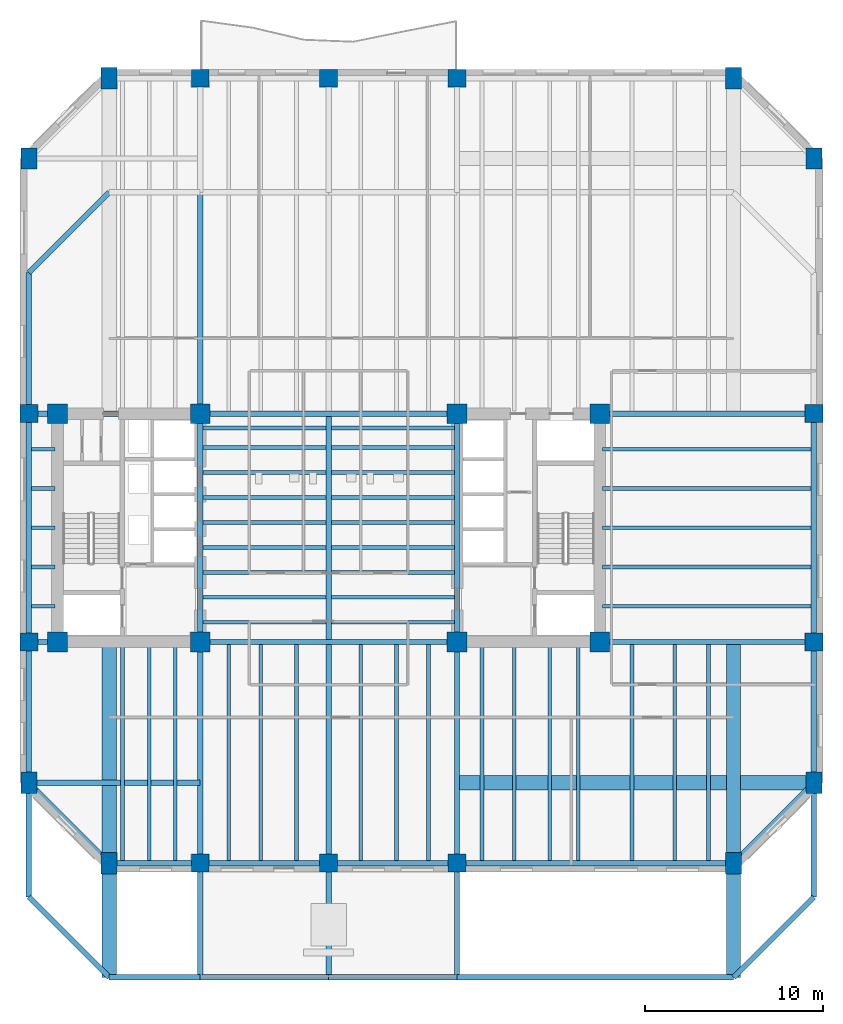
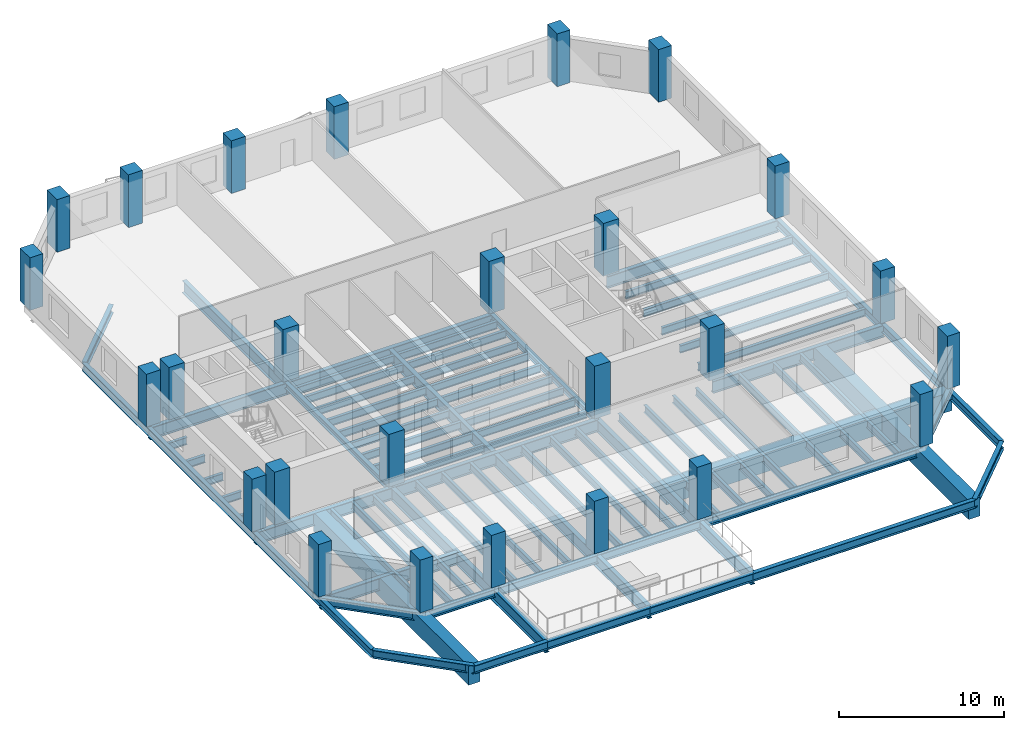
# One storey, part 1 of 10: 79 beams, 26 columns.
"""IFC4 building model written with IfcOpenShell, lengths in metres."""

from ifc_helpers import new_model, si_unit, direction, frame, origin, origin_2d, place, context, subcontext, project, spatial, rectangle, i_section, extrude, material, material_profile, profile_set, type_object, element, save


model = new_model("IFC4")

# Units and contexts
model_context = context("Model", 3, precision=1e-05, world=origin(), true_north=direction((0.0, 1.0)))
body_context = subcontext(model_context, "Body", "Model", "MODEL_VIEW")
ifc_project = project(units=[si_unit("LENGTHUNIT", "METRE"), si_unit("AREAUNIT", "SQUARE_METRE"), si_unit("VOLUMEUNIT", "CUBIC_METRE"), si_unit("PLANEANGLEUNIT", "RADIAN"), si_unit("MASSUNIT", "GRAM", prefix="KILO")], contexts=[model_context])

# Site, building, storey
site_placement = place(None, origin())
site = spatial("IfcSite", under=ifc_project, at=site_placement, CompositionType="ELEMENT")
building_placement = place(site_placement, origin())
building = spatial("IfcBuilding", under=site, at=building_placement, Name="Kranthara Brick Stack", CompositionType="ELEMENT")
storey_placement = place(building_placement, frame((0.0, 0.0, 71.10009765625)))
storey = spatial("IfcBuildingStorey", under=building, at=storey_placement, Name="L17", CompositionType="ELEMENT", Elevation=71.10009765625)

# Columns
ifc_material_1 = material(Name="Concrete C70/85", Category="concrete")
ifc_material_profile_1 = material_profile(ifc_material_1, rectangle(XDim=0.89990234375, YDim=1.199951171875, at=origin_2d()), Name="RC 900x1200")
ifc_profile_set_1 = profile_set([ifc_material_profile_1], Name="Concrete C70/85")
column_type_1 = type_object("IfcColumnType", Name="COL-CHAM-900x1200", PredefinedType="COLUMN", material=ifc_profile_set_1)
for number, where, z_axis, x_axis, name in (
    (1, (15.699951171875, 8.39990234375, 0.0), (0.0, 0.0, 1.0), (1.0, 0.0, 0.0), "L17 Column 09"),
    (2, (15.699951171875, 52.39990234375, 0.0), (0.0, 0.0, 1.0), (1.0, 0.0, 0.0), "L17 Column 10"),
    (3, (50.699951171875, 8.39990234375, 0.0), (0.0, 0.0, 1.0), (1.0, 0.0, 0.0), "L17 Column 17"),
    (4, (50.699951171875, 52.39990234375, 0.0), (0.0, 0.0, 1.0), (1.0, 0.0, 0.0), "L17 Column 18"),
    (5, (11.199951171875, 12.89990234375, 0.0), (0.0, 0.0, 1.0), (1.0, 0.0, 0.0), "L17 Column 19"),
    (6, (55.199951171875, 12.89990234375, 0.0), (0.0, 0.0, 1.0), (1.0, 0.0, 0.0), "L17 Column 20"),
    (7, (11.199951171875, 47.89990234375, 0.0), (0.0, 0.0, 1.0), (1.0, 0.0, 0.0), "L17 Column 25"),
    (8, (55.199951171875, 47.89990234375, 0.0), (0.0, 0.0, 1.0), (1.0, 0.0, 0.0), "L17 Column 26"),
):
    element("IfcColumn", number, at=place(storey_placement, frame(where, z_axis=z_axis, x_axis=x_axis)), inside=storey, type_object=column_type_1, Name=name, PredefinedType="COLUMN", context=body_context, shape_type="SweptSolid", body=[
        extrude(rectangle(XDim=0.89990234375, YDim=1.199951171875, at=origin_2d()), origin(), (0.0, 0.0, 1.0), 3.89990234375),
    ])
ifc_material_2 = material(Name="Concrete C70/85", Category="concrete")
ifc_material_profile_2 = material_profile(ifc_material_2, rectangle(XDim=1.10009765625, YDim=1.10009765625, at=origin_2d()), Name="RC 1100x1100")
ifc_profile_set_2 = profile_set([ifc_material_profile_2], Name="Concrete C70/85")
column_type_2 = type_object("IfcColumnType", Name="COL-CORE-1100", PredefinedType="COLUMN", material=ifc_profile_set_2)
for number, where, z_axis, x_axis, name in (
    (9, (12.800048828125, 20.800048828125, 0.0), (0.0, 0.0, 1.0), (1.0, 0.0, 0.0), "L17 Column 01"),
    (10, (20.800048828125, 20.800048828125, 0.0), (0.0, 0.0, 1.0), (1.0, 0.0, 0.0), "L17 Column 02"),
    (11, (12.800048828125, 33.60009765625, 0.0), (0.0, 0.0, 1.0), (1.0, 0.0, 0.0), "L17 Column 03"),
    (12, (20.800048828125, 33.60009765625, 0.0), (0.0, 0.0, 1.0), (1.0, 0.0, 0.0), "L17 Column 04"),
    (13, (35.199951171875, 20.800048828125, 0.0), (0.0, 0.0, 1.0), (1.0, 0.0, 0.0), "L17 Column 05"),
    (14, (43.199951171875, 20.800048828125, 0.0), (0.0, 0.0, 1.0), (1.0, 0.0, 0.0), "L17 Column 06"),
    (15, (35.199951171875, 33.60009765625, 0.0), (0.0, 0.0, 1.0), (1.0, 0.0, 0.0), "L17 Column 07"),
    (16, (43.199951171875, 33.60009765625, 0.0), (0.0, 0.0, 1.0), (1.0, 0.0, 0.0), "L17 Column 08"),
):
    element("IfcColumn", number, at=place(storey_placement, frame(where, z_axis=z_axis, x_axis=x_axis)), inside=storey, type_object=column_type_2, Name=name, PredefinedType="COLUMN", context=body_context, shape_type="SweptSolid", body=[
        extrude(rectangle(XDim=1.10009765625, YDim=1.10009765625, at=origin_2d()), origin(), (0.0, 0.0, 1.0), 3.89990234375),
    ])
ifc_material_3 = material(Name="Concrete C60/75", Category="concrete")
ifc_material_profile_3 = material_profile(ifc_material_3, rectangle(XDim=1.0, YDim=1.0, at=origin_2d()), Name="RC 1000x1000")
ifc_profile_set_3 = profile_set([ifc_material_profile_3], Name="Concrete C60/75")
column_type_3 = type_object("IfcColumnType", Name="COL-PER-1000", PredefinedType="COLUMN", material=ifc_profile_set_3)
for number, where, z_axis, x_axis, name in (
    (17, (20.800048828125, 8.39990234375, 0.0), (0.0, 0.0, 1.0), (1.0, 0.0, 0.0), "L17 Column 11"),
    (18, (20.800048828125, 52.39990234375, 0.0), (0.0, 0.0, 1.0), (1.0, 0.0, 0.0), "L17 Column 12"),
    (19, (28.0, 8.39990234375, 0.0), (0.0, 0.0, 1.0), (1.0, 0.0, 0.0), "L17 Column 13"),
    (20, (28.0, 52.39990234375, 0.0), (0.0, 0.0, 1.0), (1.0, 0.0, 0.0), "L17 Column 14"),
    (21, (35.199951171875, 8.39990234375, 0.0), (0.0, 0.0, 1.0), (1.0, 0.0, 0.0), "L17 Column 15"),
    (22, (35.199951171875, 52.39990234375, 0.0), (0.0, 0.0, 1.0), (1.0, 0.0, 0.0), "L17 Column 16"),
    (23, (11.199951171875, 20.800048828125, 0.0), (0.0, 0.0, 1.0), (1.0, 0.0, 0.0), "L17 Column 21"),
    (24, (55.199951171875, 20.800048828125, 0.0), (0.0, 0.0, 1.0), (1.0, 0.0, 0.0), "L17 Column 22"),
    (25, (11.199951171875, 33.60009765625, 0.0), (0.0, 0.0, 1.0), (1.0, 0.0, 0.0), "L17 Column 23"),
    (26, (55.199951171875, 33.60009765625, 0.0), (0.0, 0.0, 1.0), (1.0, 0.0, 0.0), "L17 Column 24"),
):
    element("IfcColumn", number, at=place(storey_placement, frame(where, z_axis=z_axis, x_axis=x_axis)), inside=storey, type_object=column_type_3, Name=name, PredefinedType="COLUMN", context=body_context, shape_type="SweptSolid", body=[
        extrude(rectangle(XDim=1.0, YDim=1.0, at=origin_2d()), origin(), (0.0, 0.0, 1.0), 3.89990234375),
    ])

# Beams
ifc_material_4 = material(Name="Steel S355", Category="steel")
ifc_material_profile_4 = material_profile(ifc_material_4, i_section(OverallWidth=0.2099609375, OverallDepth=0.550048828125, WebThickness=0.010986328125, FlangeThickness=0.01708984375, at=origin_2d()), Name="IPE 550")
ifc_profile_set_4 = profile_set([ifc_material_profile_4], Name="Steel S355")
beam_type_1 = type_object("IfcBeamType", Name="BM-JST-IPE550", PredefinedType="JOIST", material=ifc_profile_set_4)
for number, where, z_axis, x_axis, name in (
    (27, (20.949951171875, 21.89990234375, -0.72509765625), (1.0, 0.0, 0.0), (0.0, 1.0, 0.0), "L17 Central Floor Joist 057"),
    (28, (28.14990234375, 21.89990234375, -0.72509765625), (1.0, 0.0, 0.0), (0.0, 1.0, 0.0), "L17 Central Floor Joist 058"),
    (29, (20.949951171875, 23.300048828125, -0.72509765625), (1.0, 0.0, 0.0), (0.0, 1.0, 0.0), "L17 Central Floor Joist 059"),
    (30, (28.14990234375, 23.300048828125, -0.72509765625), (1.0, 0.0, 0.0), (0.0, 1.0, 0.0), "L17 Central Floor Joist 060"),
    (31, (20.949951171875, 24.699951171875, -0.72509765625), (1.0, 0.0, 0.0), (0.0, 1.0, 0.0), "L17 Central Floor Joist 061"),
    (32, (28.14990234375, 24.699951171875, -0.72509765625), (1.0, 0.0, 0.0), (0.0, 1.0, 0.0), "L17 Central Floor Joist 062"),
    (33, (20.949951171875, 26.10009765625, -0.72509765625), (1.0, 0.0, 0.0), (0.0, 1.0, 0.0), "L17 Central Floor Joist 063"),
    (34, (28.14990234375, 26.10009765625, -0.72509765625), (1.0, 0.0, 0.0), (0.0, 1.0, 0.0), "L17 Central Floor Joist 064"),
    (35, (20.949951171875, 27.5, -0.72509765625), (1.0, 0.0, 0.0), (0.0, 1.0, 0.0), "L17 Central Floor Joist 065"),
    (36, (28.14990234375, 27.5, -0.72509765625), (1.0, 0.0, 0.0), (0.0, 1.0, 0.0), "L17 Central Floor Joist 066"),
    (37, (20.949951171875, 28.89990234375, -0.72509765625), (1.0, 0.0, 0.0), (0.0, 1.0, 0.0), "L17 Central Floor Joist 067"),
    (38, (28.14990234375, 28.89990234375, -0.72509765625), (1.0, 0.0, 0.0), (0.0, 1.0, 0.0), "L17 Central Floor Joist 068"),
    (39, (20.949951171875, 30.300048828125, -0.72509765625), (1.0, 0.0, 0.0), (0.0, 1.0, 0.0), "L17 Central Floor Joist 069"),
    (40, (28.14990234375, 30.300048828125, -0.72509765625), (1.0, 0.0, 0.0), (0.0, 1.0, 0.0), "L17 Central Floor Joist 070"),
    (41, (20.949951171875, 31.699951171875, -0.72509765625), (1.0, 0.0, 0.0), (0.0, 1.0, 0.0), "L17 Central Floor Joist 071"),
    (42, (28.14990234375, 31.699951171875, -0.72509765625), (1.0, 0.0, 0.0), (0.0, 1.0, 0.0), "L17 Central Floor Joist 072"),
    (43, (20.949951171875, 32.800048828125, -0.72509765625), (1.0, 0.0, 0.0), (0.0, 1.0, 0.0), "L17 Central Floor Joist 073"),
    (44, (28.14990234375, 32.800048828125, -0.72509765625), (1.0, 0.0, 0.0), (0.0, 1.0, 0.0), "L17 Central Floor Joist 074"),
):
    element("IfcBeam", number, at=place(storey_placement, frame(where, z_axis=z_axis, x_axis=x_axis)), inside=storey, type_object=beam_type_1, Name=name, PredefinedType="JOIST", context=body_context, shape_type="SweptSolid", body=[
        extrude(i_section(OverallWidth=0.2099609375, OverallDepth=0.550048828125, WebThickness=0.010986328125, FlangeThickness=0.01708984375, at=origin_2d()), origin(), (0.0, 0.0, 1.0), 6.900146484375),
    ])
for number, where, z_axis, x_axis, name in (
    (45, (16.449951171875, 8.550048828125, -0.72509765625), (0.0, 1.0, 0.0), (-1.0, 0.0, 0.0), "L17 South Wing Floor Joist 075"),
    (46, (17.949951171875, 8.550048828125, -0.72509765625), (0.0, 1.0, 0.0), (-1.0, 0.0, 0.0), "L17 South Wing Floor Joist 077"),
    (47, (19.39990234375, 8.550048828125, -0.72509765625), (0.0, 1.0, 0.0), (-1.0, 0.0, 0.0), "L17 South Wing Floor Joist 079"),
    (48, (22.39990234375, 8.550048828125, -0.72509765625), (0.0, 1.0, 0.0), (-1.0, 0.0, 0.0), "L17 South Wing Floor Joist 081"),
    (49, (24.199951171875, 8.550048828125, -0.72509765625), (0.0, 1.0, 0.0), (-1.0, 0.0, 0.0), "L17 South Wing Floor Joist 083"),
    (50, (26.199951171875, 8.550048828125, -0.72509765625), (0.0, 1.0, 0.0), (-1.0, 0.0, 0.0), "L17 South Wing Floor Joist 085"),
    (51, (29.800048828125, 8.550048828125, -0.72509765625), (0.0, 1.0, 0.0), (-1.0, 0.0, 0.0), "L17 South Wing Floor Joist 087"),
    (52, (31.800048828125, 8.550048828125, -0.72509765625), (0.0, 1.0, 0.0), (-1.0, 0.0, 0.0), "L17 South Wing Floor Joist 089"),
    (53, (33.60009765625, 8.550048828125, -0.72509765625), (0.0, 1.0, 0.0), (-1.0, 0.0, 0.0), "L17 South Wing Floor Joist 091"),
    (54, (36.60009765625, 8.550048828125, -0.72509765625), (0.0, 1.0, 0.0), (-1.0, 0.0, 0.0), "L17 South Wing Floor Joist 093"),
    (55, (38.39990234375, 8.550048828125, -0.72509765625), (0.0, 1.0, 0.0), (-1.0, 0.0, 0.0), "L17 South Wing Floor Joist 095"),
    (56, (40.39990234375, 8.550048828125, -0.72509765625), (0.0, 1.0, 0.0), (-1.0, 0.0, 0.0), "L17 South Wing Floor Joist 097"),
    (57, (42.0, 8.550048828125, -0.72509765625), (0.0, 1.0, 0.0), (-1.0, 0.0, 0.0), "L17 South Wing Floor Joist 099"),
    (58, (45.0, 8.550048828125, -0.72509765625), (0.0, 1.0, 0.0), (-1.0, 0.0, 0.0), "L17 South Wing Floor Joist 101"),
    (59, (47.39990234375, 8.550048828125, -0.72509765625), (0.0, 1.0, 0.0), (-1.0, 0.0, 0.0), "L17 South Wing Floor Joist 103"),
    (60, (49.300048828125, 8.550048828125, -0.72509765625), (0.0, 1.0, 0.0), (-1.0, 0.0, 0.0), "L17 South Wing Floor Joist 105"),
):
    element("IfcBeam", number, at=place(storey_placement, frame(where, z_axis=z_axis, x_axis=x_axis)), inside=storey, type_object=beam_type_1, Name=name, PredefinedType="JOIST", context=body_context, shape_type="SweptSolid", body=[
        extrude(i_section(OverallWidth=0.2099609375, OverallDepth=0.550048828125, WebThickness=0.010986328125, FlangeThickness=0.01708984375, at=origin_2d()), origin(), (0.0, 0.0, 1.0), 12.099853515625),
    ])
beam_1_placement = place(storey_placement, frame((11.35009765625, 22.800048828125, -0.72509765625), z_axis=(1.0, 0.0, 0.0), x_axis=(0.0, 1.0, 0.0)))
element("IfcBeam", 61, at=beam_1_placement, inside=storey, type_object=beam_type_1, Name="L17 West Wing Floor Joist 107", PredefinedType="JOIST", context=body_context, shape_type="SweptSolid", body=[
    extrude(i_section(OverallWidth=0.2099609375, OverallDepth=0.550048828125, WebThickness=0.010986328125, FlangeThickness=0.01708984375, at=origin_2d()), origin(), (0.0, 0.0, 1.0), 1.2998046875),
])
beam_2_placement = place(storey_placement, frame((43.35009765625, 22.800048828125, -0.72509765625), z_axis=(1.0, 0.0, 0.0), x_axis=(0.0, 1.0, 0.0)))
element("IfcBeam", 62, at=beam_2_placement, inside=storey, type_object=beam_type_1, Name="L17 East Wing Floor Joist 108", PredefinedType="JOIST", context=body_context, shape_type="SweptSolid", body=[
    extrude(i_section(OverallWidth=0.2099609375, OverallDepth=0.550048828125, WebThickness=0.010986328125, FlangeThickness=0.01708984375, at=origin_2d()), origin(), (0.0, 0.0, 1.0), 11.699951171875),
])
beam_3_placement = place(storey_placement, frame((11.35009765625, 25.0, -0.72509765625), z_axis=(1.0, 0.0, 0.0), x_axis=(0.0, 1.0, 0.0)))
element("IfcBeam", 63, at=beam_3_placement, inside=storey, type_object=beam_type_1, Name="L17 West Wing Floor Joist 109", PredefinedType="JOIST", context=body_context, shape_type="SweptSolid", body=[
    extrude(i_section(OverallWidth=0.2099609375, OverallDepth=0.550048828125, WebThickness=0.010986328125, FlangeThickness=0.01708984375, at=origin_2d()), origin(), (0.0, 0.0, 1.0), 1.2998046875),
])
beam_4_placement = place(storey_placement, frame((43.35009765625, 25.0, -0.72509765625), z_axis=(1.0, 0.0, 0.0), x_axis=(0.0, 1.0, 0.0)))
element("IfcBeam", 64, at=beam_4_placement, inside=storey, type_object=beam_type_1, Name="L17 East Wing Floor Joist 110", PredefinedType="JOIST", context=body_context, shape_type="SweptSolid", body=[
    extrude(i_section(OverallWidth=0.2099609375, OverallDepth=0.550048828125, WebThickness=0.010986328125, FlangeThickness=0.01708984375, at=origin_2d()), origin(), (0.0, 0.0, 1.0), 11.699951171875),
])
beam_5_placement = place(storey_placement, frame((11.35009765625, 27.199951171875, -0.72509765625), z_axis=(1.0, 0.0, 0.0), x_axis=(0.0, 1.0, 0.0)))
element("IfcBeam", 65, at=beam_5_placement, inside=storey, type_object=beam_type_1, Name="L17 West Wing Floor Joist 111", PredefinedType="JOIST", context=body_context, shape_type="SweptSolid", body=[
    extrude(i_section(OverallWidth=0.2099609375, OverallDepth=0.550048828125, WebThickness=0.010986328125, FlangeThickness=0.01708984375, at=origin_2d()), origin(), (0.0, 0.0, 1.0), 1.2998046875),
])
beam_6_placement = place(storey_placement, frame((43.35009765625, 27.199951171875, -0.72509765625), z_axis=(1.0, 0.0, 0.0), x_axis=(0.0, 1.0, 0.0)))
element("IfcBeam", 66, at=beam_6_placement, inside=storey, type_object=beam_type_1, Name="L17 East Wing Floor Joist 112", PredefinedType="JOIST", context=body_context, shape_type="SweptSolid", body=[
    extrude(i_section(OverallWidth=0.2099609375, OverallDepth=0.550048828125, WebThickness=0.010986328125, FlangeThickness=0.01708984375, at=origin_2d()), origin(), (0.0, 0.0, 1.0), 11.699951171875),
])
beam_7_placement = place(storey_placement, frame((11.35009765625, 29.39990234375, -0.72509765625), z_axis=(1.0, 0.0, 0.0), x_axis=(0.0, 1.0, 0.0)))
element("IfcBeam", 67, at=beam_7_placement, inside=storey, type_object=beam_type_1, Name="L17 West Wing Floor Joist 113", PredefinedType="JOIST", context=body_context, shape_type="SweptSolid", body=[
    extrude(i_section(OverallWidth=0.2099609375, OverallDepth=0.550048828125, WebThickness=0.010986328125, FlangeThickness=0.01708984375, at=origin_2d()), origin(), (0.0, 0.0, 1.0), 1.2998046875),
])
beam_8_placement = place(storey_placement, frame((43.35009765625, 29.39990234375, -0.72509765625), z_axis=(1.0, 0.0, 0.0), x_axis=(0.0, 1.0, 0.0)))
element("IfcBeam", 68, at=beam_8_placement, inside=storey, type_object=beam_type_1, Name="L17 East Wing Floor Joist 114", PredefinedType="JOIST", context=body_context, shape_type="SweptSolid", body=[
    extrude(i_section(OverallWidth=0.2099609375, OverallDepth=0.550048828125, WebThickness=0.010986328125, FlangeThickness=0.01708984375, at=origin_2d()), origin(), (0.0, 0.0, 1.0), 11.699951171875),
])
beam_9_placement = place(storey_placement, frame((11.35009765625, 31.60009765625, -0.72509765625), z_axis=(1.0, 0.0, 0.0), x_axis=(0.0, 1.0, 0.0)))
element("IfcBeam", 69, at=beam_9_placement, inside=storey, type_object=beam_type_1, Name="L17 West Wing Floor Joist 115", PredefinedType="JOIST", context=body_context, shape_type="SweptSolid", body=[
    extrude(i_section(OverallWidth=0.2099609375, OverallDepth=0.550048828125, WebThickness=0.010986328125, FlangeThickness=0.01708984375, at=origin_2d()), origin(), (0.0, 0.0, 1.0), 1.2998046875),
])
beam_10_placement = place(storey_placement, frame((43.35009765625, 31.60009765625, -0.72509765625), z_axis=(1.0, 0.0, 0.0), x_axis=(0.0, 1.0, 0.0)))
element("IfcBeam", 70, at=beam_10_placement, inside=storey, type_object=beam_type_1, Name="L17 East Wing Floor Joist 116", PredefinedType="JOIST", context=body_context, shape_type="SweptSolid", body=[
    extrude(i_section(OverallWidth=0.2099609375, OverallDepth=0.550048828125, WebThickness=0.010986328125, FlangeThickness=0.01708984375, at=origin_2d()), origin(), (0.0, 0.0, 1.0), 11.699951171875),
])
ifc_material_5 = material(Name="Steel S355", Category="steel")
ifc_material_profile_5 = material_profile(ifc_material_5, i_section(OverallWidth=0.300048828125, OverallDepth=0.449951171875, WebThickness=0.013916015625, FlangeThickness=0.02587890625, at=origin_2d()), Name="HEB 450")
ifc_profile_set_5 = profile_set([ifc_material_profile_5], Name="Steel S355")
beam_type_2 = type_object("IfcBeamType", Name="BM-STL-HEB450", PredefinedType="SPANDREL", material=ifc_profile_set_5)
for number, where, z_axis, x_axis, name in (
    (71, (20.800048828125, 20.800048828125, -0.675048828125), (0.0, 1.0, 0.0), (-1.0, 0.0, 0.0), "L17 Core Edge Tie Beam 003"),
    (72, (35.199951171875, 20.800048828125, -0.675048828125), (0.0, 1.0, 0.0), (-1.0, 0.0, 0.0), "L17 Core Edge Tie Beam 004"),
):
    element("IfcBeam", number, at=place(storey_placement, frame(where, z_axis=z_axis, x_axis=x_axis)), inside=storey, type_object=beam_type_2, Name=name, PredefinedType="SPANDREL", context=body_context, shape_type="SweptSolid", body=[
        extrude(i_section(OverallWidth=0.300048828125, OverallDepth=0.449951171875, WebThickness=0.013916015625, FlangeThickness=0.02587890625, at=origin_2d()), origin(), (0.0, 0.0, 1.0), 12.800048828125),
    ])
ifc_material_6 = material(Name="Steel S355", Category="steel")
ifc_material_profile_6 = material_profile(ifc_material_6, i_section(OverallWidth=0.300048828125, OverallDepth=0.60009765625, WebThickness=0.015380859375, FlangeThickness=0.030029296875, at=origin_2d()), Name="HEB 600")
ifc_profile_set_6 = profile_set([ifc_material_profile_6], Name="Steel S355")
beam_type_3 = type_object("IfcBeamType", Name="BM-STL-HEB600", PredefinedType="BEAM", material=ifc_profile_set_6)
beam_11_placement = place(storey_placement, frame((15.699951171875, 2.0, -0.75), z_axis=(1.0, 0.0, 0.0), x_axis=(0.0, 1.0, 0.0)))
element("IfcBeam", 73, at=beam_11_placement, inside=storey, type_object=beam_type_3, Name="L17 Perimeter Spandrel Beam 005", PredefinedType="BEAM", context=body_context, shape_type="SweptSolid", body=[
    extrude(i_section(OverallWidth=0.300048828125, OverallDepth=0.60009765625, WebThickness=0.015380859375, FlangeThickness=0.030029296875, at=origin_2d()), origin(), (0.0, 0.0, 1.0), 5.10009765625),
])
for number, where, z_axis, x_axis, name in (
    (74, (20.800048828125, 2.0, -0.75), (1.0, 0.0, 0.0), (0.0, 1.0, 0.0), "L17 Perimeter Spandrel Beam 006"),
    (75, (28.0, 2.0, -0.75), (1.0, 0.0, 0.0), (0.0, 1.0, 0.0), "L17 Perimeter Spandrel Beam 007"),
):
    element("IfcBeam", number, at=place(storey_placement, frame(where, z_axis=z_axis, x_axis=x_axis)), inside=storey, type_object=beam_type_3, Name=name, PredefinedType="BEAM", context=body_context, shape_type="SweptSolid", body=[
        extrude(i_section(OverallWidth=0.300048828125, OverallDepth=0.60009765625, WebThickness=0.015380859375, FlangeThickness=0.030029296875, at=origin_2d()), origin(), (0.0, 0.0, 1.0), 7.199951171875),
    ])
beam_12_placement = place(storey_placement, frame((35.199951171875, 2.0, -0.75), z_axis=(1.0, 0.0, 0.0), x_axis=(0.0, 1.0, 0.0)))
element("IfcBeam", 76, at=beam_12_placement, inside=storey, type_object=beam_type_3, Name="L17 Perimeter Spandrel Beam 008", PredefinedType="BEAM", context=body_context, shape_type="SweptSolid", body=[
    extrude(i_section(OverallWidth=0.300048828125, OverallDepth=0.60009765625, WebThickness=0.015380859375, FlangeThickness=0.030029296875, at=origin_2d()), origin(), (0.0, 0.0, 1.0), 15.5),
])
beam_13_placement = place(storey_placement, frame((11.199951171875, 6.5, -0.75), z_axis=(0.0, 1.0, 0.0), x_axis=(-1.0, 0.0, 0.0)))
element("IfcBeam", 77, at=beam_13_placement, inside=storey, type_object=beam_type_3, Name="L17 Perimeter Spandrel Beam 013", PredefinedType="BEAM", context=body_context, shape_type="SweptSolid", body=[
    extrude(i_section(OverallWidth=0.300048828125, OverallDepth=0.60009765625, WebThickness=0.015380859375, FlangeThickness=0.030029296875, at=origin_2d()), origin(), (0.0, 0.0, 1.0), 14.300048828125),
])
beam_14_placement = place(storey_placement, frame((11.199951171875, 20.800048828125, -0.75), z_axis=(0.0, 1.0, 0.0), x_axis=(-1.0, 0.0, 0.0)))
element("IfcBeam", 78, at=beam_14_placement, inside=storey, type_object=beam_type_3, Name="L17 Perimeter Spandrel Beam 014", PredefinedType="BEAM", context=body_context, shape_type="SweptSolid", body=[
    extrude(i_section(OverallWidth=0.300048828125, OverallDepth=0.60009765625, WebThickness=0.015380859375, FlangeThickness=0.030029296875, at=origin_2d()), origin(), (0.0, 0.0, 1.0), 12.800048828125),
])
beam_15_placement = place(storey_placement, frame((11.199951171875, 33.60009765625, -0.75), z_axis=(0.0, 1.0, 0.0), x_axis=(-1.0, 0.0, 0.0)))
element("IfcBeam", 79, at=beam_15_placement, inside=storey, type_object=beam_type_3, Name="L17 Perimeter Spandrel Beam 015", PredefinedType="BEAM", context=body_context, shape_type="SweptSolid", body=[
    extrude(i_section(OverallWidth=0.300048828125, OverallDepth=0.60009765625, WebThickness=0.015380859375, FlangeThickness=0.030029296875, at=origin_2d()), origin(), (0.0, 0.0, 1.0), 7.89990234375),
])
beam_16_placement = place(storey_placement, frame((55.199951171875, 6.5, -0.75), z_axis=(0.0, 1.0, 0.0), x_axis=(-1.0, 0.0, 0.0)))
element("IfcBeam", 80, at=beam_16_placement, inside=storey, type_object=beam_type_3, Name="L17 Perimeter Spandrel Beam 016", PredefinedType="BEAM", context=body_context, shape_type="SweptSolid", body=[
    extrude(i_section(OverallWidth=0.300048828125, OverallDepth=0.60009765625, WebThickness=0.015380859375, FlangeThickness=0.030029296875, at=origin_2d()), origin(), (0.0, 0.0, 1.0), 14.300048828125),
])
beam_17_placement = place(storey_placement, frame((55.199951171875, 20.800048828125, -0.75), z_axis=(0.0, 1.0, 0.0), x_axis=(-1.0, 0.0, 0.0)))
element("IfcBeam", 81, at=beam_17_placement, inside=storey, type_object=beam_type_3, Name="L17 Perimeter Spandrel Beam 017", PredefinedType="BEAM", context=body_context, shape_type="SweptSolid", body=[
    extrude(i_section(OverallWidth=0.300048828125, OverallDepth=0.60009765625, WebThickness=0.015380859375, FlangeThickness=0.030029296875, at=origin_2d()), origin(), (0.0, 0.0, 1.0), 12.800048828125),
])
for number, where, z_axis, x_axis, name in (
    (82, (15.699951171875, 2.0, -0.75), (-0.707106781187, 0.707106781187, 0.0), (-0.707106781187, -0.707106781187, 0.0), "L17 Chamfer Corner Spandrel 019"),
    (83, (50.699951171875, 2.0, -0.75), (0.707106781187, 0.707106781187, 0.0), (-0.707106781187, 0.707106781187, 0.0), "L17 Chamfer Corner Spandrel 020"),
    (84, (15.699951171875, 46.0, -0.75), (-0.707106781187, -0.707106781187, 0.0), (0.707106781187, -0.707106781187, 0.0), "L17 Chamfer Corner Spandrel 021"),
):
    element("IfcBeam", number, at=place(storey_placement, frame(where, z_axis=z_axis, x_axis=x_axis)), inside=storey, type_object=beam_type_3, Name=name, PredefinedType="BEAM", context=body_context, shape_type="SweptSolid", body=[
        extrude(i_section(OverallWidth=0.300048828125, OverallDepth=0.60009765625, WebThickness=0.015380859375, FlangeThickness=0.030029296875, at=origin_2d()), origin(), (0.0, 0.0, 1.0), 6.364013671875),
    ])
beam_18_placement = place(storey_placement, frame((15.699951171875, 8.39990234375, -0.75), z_axis=(1.0, 0.0, 0.0), x_axis=(0.0, 1.0, 0.0)))
element("IfcBeam", 85, at=beam_18_placement, inside=storey, type_object=beam_type_3, Name="L17 Perimeter Spandrel Beam 023", PredefinedType="BEAM", context=body_context, shape_type="SweptSolid", body=[
    extrude(i_section(OverallWidth=0.300048828125, OverallDepth=0.60009765625, WebThickness=0.015380859375, FlangeThickness=0.030029296875, at=origin_2d()), origin(), (0.0, 0.0, 1.0), 5.10009765625),
])
for number, where, z_axis, x_axis, name in (
    (86, (20.800048828125, 8.39990234375, -0.75), (1.0, 0.0, 0.0), (0.0, 1.0, 0.0), "L17 Perimeter Spandrel Beam 024"),
    (87, (28.0, 8.39990234375, -0.75), (1.0, 0.0, 0.0), (0.0, 1.0, 0.0), "L17 Perimeter Spandrel Beam 025"),
):
    element("IfcBeam", number, at=place(storey_placement, frame(where, z_axis=z_axis, x_axis=x_axis)), inside=storey, type_object=beam_type_3, Name=name, PredefinedType="BEAM", context=body_context, shape_type="SweptSolid", body=[
        extrude(i_section(OverallWidth=0.300048828125, OverallDepth=0.60009765625, WebThickness=0.015380859375, FlangeThickness=0.030029296875, at=origin_2d()), origin(), (0.0, 0.0, 1.0), 7.199951171875),
    ])
beam_19_placement = place(storey_placement, frame((35.199951171875, 8.39990234375, -0.75), z_axis=(1.0, 0.0, 0.0), x_axis=(0.0, 1.0, 0.0)))
element("IfcBeam", 88, at=beam_19_placement, inside=storey, type_object=beam_type_3, Name="L17 Perimeter Spandrel Beam 026", PredefinedType="BEAM", context=body_context, shape_type="SweptSolid", body=[
    extrude(i_section(OverallWidth=0.300048828125, OverallDepth=0.60009765625, WebThickness=0.015380859375, FlangeThickness=0.030029296875, at=origin_2d()), origin(), (0.0, 0.0, 1.0), 15.5),
])
for number, where, z_axis, x_axis, name in (
    (89, (15.699951171875, 8.39990234375, -0.75), (-0.707106781187, 0.707106781187, 0.0), (-0.707106781187, -0.707106781187, 0.0), "L17 Chamfer Corner Spandrel 031"),
    (90, (50.699951171875, 8.39990234375, -0.75), (0.707106781187, 0.707106781187, 0.0), (-0.707106781187, 0.707106781187, 0.0), "L17 Chamfer Corner Spandrel 032"),
):
    element("IfcBeam", number, at=place(storey_placement, frame(where, z_axis=z_axis, x_axis=x_axis)), inside=storey, type_object=beam_type_3, Name=name, PredefinedType="BEAM", context=body_context, shape_type="SweptSolid", body=[
        extrude(i_section(OverallWidth=0.300048828125, OverallDepth=0.60009765625, WebThickness=0.015380859375, FlangeThickness=0.030029296875, at=origin_2d()), origin(), (0.0, 0.0, 1.0), 6.364013671875),
    ])
ifc_material_7 = material(Name="Steel S460", Category="steel")
ifc_material_profile_7 = material_profile(ifc_material_7, i_section(OverallWidth=0.300048828125, OverallDepth=0.89990234375, WebThickness=0.0185546875, FlangeThickness=0.034912109375, at=origin_2d()), Name="HEB 900")
ifc_profile_set_7 = profile_set([ifc_material_profile_7], Name="Steel S460")
beam_type_4 = type_object("IfcBeamType", Name="BM-TR-HEB900", PredefinedType="BEAM", material=ifc_profile_set_7)
for number, where, z_axis, x_axis, name in (
    (91, (20.800048828125, 20.800048828125, -0.900146484375), (1.0, 0.0, 0.0), (0.0, 1.0, 0.0), "L17 Core Coupling Beam 001"),
    (92, (20.800048828125, 33.60009765625, -0.900146484375), (1.0, 0.0, 0.0), (0.0, 1.0, 0.0), "L17 Core Coupling Beam 002"),
):
    element("IfcBeam", number, at=place(storey_placement, frame(where, z_axis=z_axis, x_axis=x_axis)), inside=storey, type_object=beam_type_4, Name=name, PredefinedType="BEAM", context=body_context, shape_type="SweptSolid", body=[
        extrude(i_section(OverallWidth=0.300048828125, OverallDepth=0.89990234375, WebThickness=0.0185546875, FlangeThickness=0.034912109375, at=origin_2d()), origin(), (0.0, 0.0, 1.0), 14.39990234375),
    ])
beam_20_placement = place(storey_placement, frame((20.800048828125, 2.0, -0.900146484375), z_axis=(0.0, 1.0, 0.0), x_axis=(-1.0, 0.0, 0.0)))
element("IfcBeam", 93, at=beam_20_placement, inside=storey, type_object=beam_type_4, Name="L17 Primary Grid Girder 035", PredefinedType="BEAM", context=body_context, shape_type="SweptSolid", body=[
    extrude(i_section(OverallWidth=0.300048828125, OverallDepth=0.89990234375, WebThickness=0.0185546875, FlangeThickness=0.034912109375, at=origin_2d()), origin(), (0.0, 0.0, 1.0), 18.800048828125),
])
beam_21_placement = place(storey_placement, frame((20.800048828125, 33.60009765625, -0.900146484375), z_axis=(0.0, 1.0, 0.0), x_axis=(-1.0, 0.0, 0.0)))
element("IfcBeam", 94, at=beam_21_placement, inside=storey, type_object=beam_type_4, Name="L17 Primary Grid Girder 036", PredefinedType="BEAM", context=body_context, shape_type="SweptSolid", body=[
    extrude(i_section(OverallWidth=0.300048828125, OverallDepth=0.89990234375, WebThickness=0.0185546875, FlangeThickness=0.034912109375, at=origin_2d()), origin(), (0.0, 0.0, 1.0), 12.39990234375),
])
beam_22_placement = place(storey_placement, frame((28.0, 2.0, -0.900146484375), z_axis=(0.0, 1.0, 0.0), x_axis=(-1.0, 0.0, 0.0)))
element("IfcBeam", 95, at=beam_22_placement, inside=storey, type_object=beam_type_4, Name="L17 Primary Grid Girder 038", PredefinedType="BEAM", context=body_context, shape_type="SweptSolid", body=[
    extrude(i_section(OverallWidth=0.300048828125, OverallDepth=0.89990234375, WebThickness=0.0185546875, FlangeThickness=0.034912109375, at=origin_2d()), origin(), (0.0, 0.0, 1.0), 18.64990234375),
])
beam_23_placement = place(storey_placement, frame((28.0, 20.949951171875, -0.900146484375), z_axis=(0.0, 1.0, 0.0), x_axis=(-1.0, 0.0, 0.0)))
element("IfcBeam", 96, at=beam_23_placement, inside=storey, type_object=beam_type_4, Name="L17 Central Spine Girder 039", PredefinedType="BEAM", context=body_context, shape_type="SweptSolid", body=[
    extrude(i_section(OverallWidth=0.300048828125, OverallDepth=0.89990234375, WebThickness=0.0185546875, FlangeThickness=0.034912109375, at=origin_2d()), origin(), (0.0, 0.0, 1.0), 12.5),
])
beam_24_placement = place(storey_placement, frame((35.199951171875, 2.0, -0.900146484375), z_axis=(0.0, 1.0, 0.0), x_axis=(-1.0, 0.0, 0.0)))
element("IfcBeam", 97, at=beam_24_placement, inside=storey, type_object=beam_type_4, Name="L17 Primary Grid Girder 042", PredefinedType="BEAM", context=body_context, shape_type="SweptSolid", body=[
    extrude(i_section(OverallWidth=0.300048828125, OverallDepth=0.89990234375, WebThickness=0.0185546875, FlangeThickness=0.034912109375, at=origin_2d()), origin(), (0.0, 0.0, 1.0), 18.800048828125),
])
beam_25_placement = place(storey_placement, frame((11.199951171875, 20.800048828125, -0.900146484375), z_axis=(1.0, 0.0, 0.0), x_axis=(0.0, 1.0, 0.0)))
element("IfcBeam", 98, at=beam_25_placement, inside=storey, type_object=beam_type_4, Name="L17 Primary Grid Girder 045", PredefinedType="BEAM", context=body_context, shape_type="SweptSolid", body=[
    extrude(i_section(OverallWidth=0.300048828125, OverallDepth=0.89990234375, WebThickness=0.0185546875, FlangeThickness=0.034912109375, at=origin_2d()), origin(), (0.0, 0.0, 1.0), 9.60009765625),
])
beam_26_placement = place(storey_placement, frame((43.199951171875, 20.800048828125, -0.900146484375), z_axis=(1.0, 0.0, 0.0), x_axis=(0.0, 1.0, 0.0)))
element("IfcBeam", 99, at=beam_26_placement, inside=storey, type_object=beam_type_4, Name="L17 Primary Grid Girder 046", PredefinedType="BEAM", context=body_context, shape_type="SweptSolid", body=[
    extrude(i_section(OverallWidth=0.300048828125, OverallDepth=0.89990234375, WebThickness=0.0185546875, FlangeThickness=0.034912109375, at=origin_2d()), origin(), (0.0, 0.0, 1.0), 12.0),
])
beam_27_placement = place(storey_placement, frame((11.199951171875, 33.60009765625, -0.900146484375), z_axis=(1.0, 0.0, 0.0), x_axis=(0.0, 1.0, 0.0)))
element("IfcBeam", 100, at=beam_27_placement, inside=storey, type_object=beam_type_4, Name="L17 Primary Grid Girder 047", PredefinedType="BEAM", context=body_context, shape_type="SweptSolid", body=[
    extrude(i_section(OverallWidth=0.300048828125, OverallDepth=0.89990234375, WebThickness=0.0185546875, FlangeThickness=0.034912109375, at=origin_2d()), origin(), (0.0, 0.0, 1.0), 9.60009765625),
])
beam_28_placement = place(storey_placement, frame((43.199951171875, 33.60009765625, -0.900146484375), z_axis=(1.0, 0.0, 0.0), x_axis=(0.0, 1.0, 0.0)))
element("IfcBeam", 101, at=beam_28_placement, inside=storey, type_object=beam_type_4, Name="L17 Primary Grid Girder 048", PredefinedType="BEAM", context=body_context, shape_type="SweptSolid", body=[
    extrude(i_section(OverallWidth=0.300048828125, OverallDepth=0.89990234375, WebThickness=0.0185546875, FlangeThickness=0.034912109375, at=origin_2d()), origin(), (0.0, 0.0, 1.0), 12.0),
])
beam_29_placement = place(storey_placement, frame((11.199951171875, 12.89990234375, -0.900146484375), z_axis=(1.0, 0.0, 0.0), x_axis=(0.0, 1.0, 0.0)))
element("IfcBeam", 102, at=beam_29_placement, inside=storey, type_object=beam_type_4, Name="L17 Transfer Tie Girder 053", PredefinedType="BEAM", context=body_context, shape_type="SweptSolid", body=[
    extrude(i_section(OverallWidth=0.300048828125, OverallDepth=0.89990234375, WebThickness=0.0185546875, FlangeThickness=0.034912109375, at=origin_2d()), origin(), (0.0, 0.0, 1.0), 9.60009765625),
])
ifc_material_8 = material(Name="Post-tensioned concrete C50/60", Category="concrete")
ifc_material_profile_8 = material_profile(ifc_material_8, rectangle(XDim=0.800048828125, YDim=1.39990234375, at=origin_2d()), Name="PT 800x1400")
ifc_profile_set_8 = profile_set([ifc_material_profile_8], Name="Post-tensioned concrete C50/60")
beam_type_5 = type_object("IfcBeamType", Name="BM-TR-PT1400", PredefinedType="T_BEAM", material=ifc_profile_set_8)
for number, where, z_axis, x_axis, name in (
    (103, (15.699951171875, 2.0, -1.150146484375), (0.0, 1.0, 0.0), (-1.0, 0.0, 0.0), "L17 Transfer Tie Girder 049"),
    (104, (50.699951171875, 2.0, -1.150146484375), (0.0, 1.0, 0.0), (-1.0, 0.0, 0.0), "L17 Transfer Tie Girder 051"),
):
    element("IfcBeam", number, at=place(storey_placement, frame(where, z_axis=z_axis, x_axis=x_axis)), inside=storey, type_object=beam_type_5, Name=name, PredefinedType="T_BEAM", context=body_context, shape_type="SweptSolid", body=[
        extrude(rectangle(XDim=0.800048828125, YDim=1.39990234375, at=origin_2d()), origin(), (0.0, 0.0, 1.0), 18.800048828125),
    ])
beam_30_placement = place(storey_placement, frame((55.199951171875, 12.89990234375, -1.150146484375), z_axis=(-1.0, 0.0, 0.0), x_axis=(0.0, -1.0, 0.0)))
element("IfcBeam", 105, at=beam_30_placement, inside=storey, type_object=beam_type_5, Name="L17 Transfer Tie Girder 054", PredefinedType="T_BEAM", context=body_context, shape_type="SweptSolid", body=[
    extrude(rectangle(XDim=0.800048828125, YDim=1.39990234375, at=origin_2d()), origin(), (0.0, 0.0, 1.0), 20.0),
])

save(model, "model.ifc")
